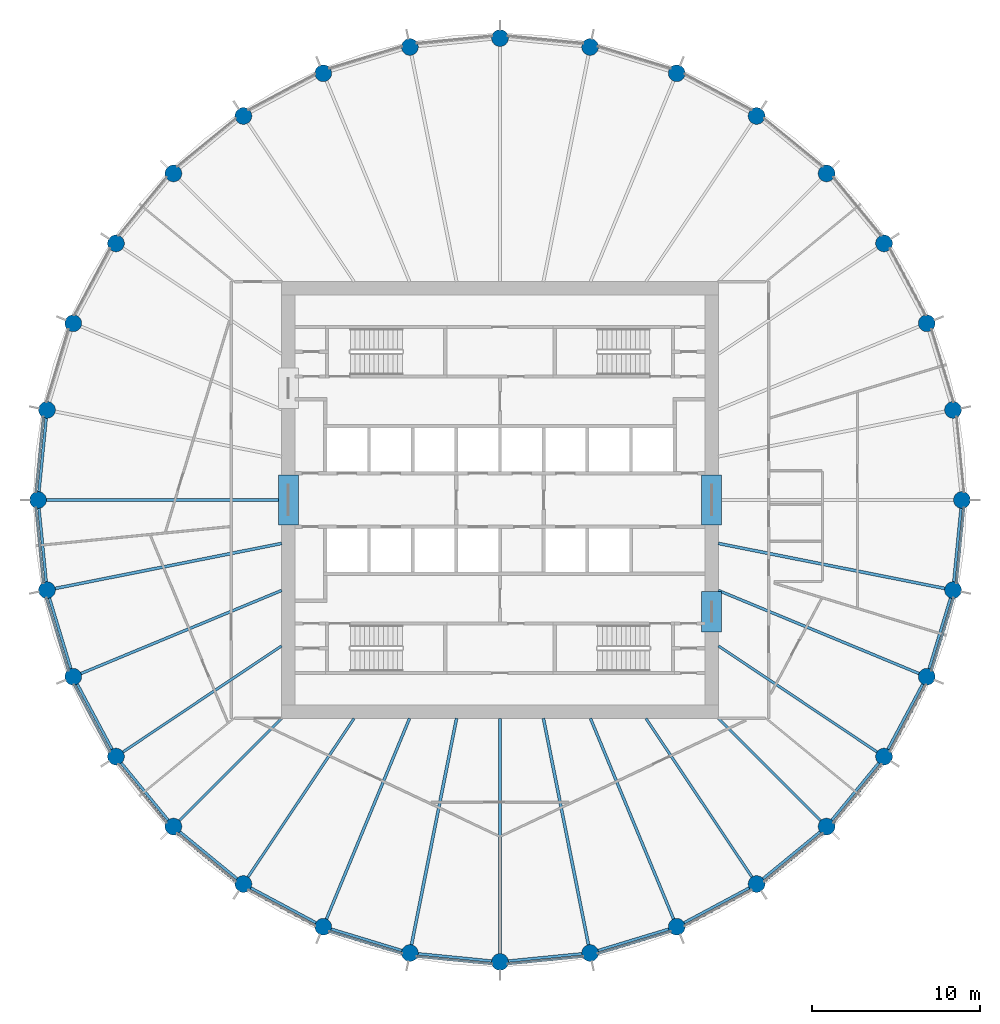
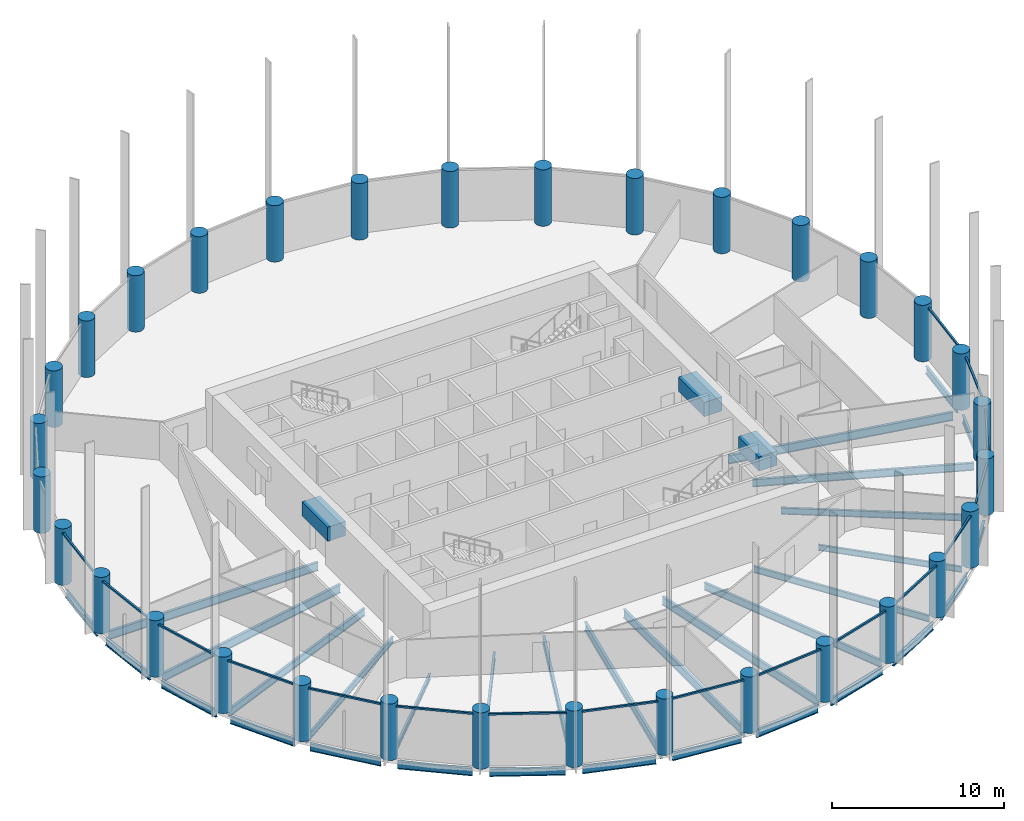
# One storey, part 1 of 8: 36 beams, 32 columns, 17 members, 17 elements without a shape of their own.
"""IFC4 building model written with IfcOpenShell, lengths in metres."""

from ifc_helpers import new_model, si_unit, direction, frame, origin, origin_2d, place, context, subcontext, project, spatial, rectangle, circle, i_section, extrude, material, material_profile, profile_set, type_object, element, aggregate, save


model = new_model("IFC4")

# Units and contexts
model_context = context("Model", 3, precision=1e-05, world=origin(), true_north=direction((0.0, 1.0)))
body_context = subcontext(model_context, "Body", "Model", "MODEL_VIEW")
ifc_project = project(units=[si_unit("LENGTHUNIT", "METRE"), si_unit("AREAUNIT", "SQUARE_METRE"), si_unit("VOLUMEUNIT", "CUBIC_METRE"), si_unit("PLANEANGLEUNIT", "RADIAN"), si_unit("MASSUNIT", "GRAM", prefix="KILO")], contexts=[model_context])

# Site, building, storey
site_placement = place(None, origin())
site = spatial("IfcSite", under=ifc_project, at=site_placement, CompositionType="ELEMENT")
building_placement = place(site_placement, origin())
building = spatial("IfcBuilding", under=site, at=building_placement, Name="Corvane Civic Tower", CompositionType="ELEMENT")
storey_placement = place(building_placement, frame((0.0, 0.0, 249.5)))
storey = spatial("IfcBuildingStorey", under=building, at=storey_placement, Name="L59", CompositionType="ELEMENT", Elevation=249.5)

# Columns
ifc_material_1 = material(Name="Concrete C60/75", Category="concrete")
ifc_material_profile_1 = material_profile(ifc_material_1, circle(Radius=0.5, at=origin_2d()), Name="COLUMN 1000")
ifc_profile_set_1 = profile_set([ifc_material_profile_1], Name="Concrete C60/75")
column_type = type_object("IfcColumnType", Name="RC COLUMN COLUMN 1000", PredefinedType="COLUMN", material=ifc_profile_set_1)
for number, where, z_axis, x_axis, name in (
    (1, (0.0, 27.5, 0.0), (0.0, 0.0, 1.0), (1.0, 0.0, 0.0), "COL-L59-D01"),
    (2, (5.364990234375, 26.9716796875, 0.0), (0.0, 0.0, 1.0), (1.0, 0.0, 0.0), "COL-L59-D02"),
    (3, (10.523681640625, 25.40673828125, 0.0), (0.0, 0.0, 1.0), (1.0, 0.0, 0.0), "COL-L59-D03"),
    (4, (15.278076171875, 22.865478515625, 0.0), (0.0, 0.0, 1.0), (1.0, 0.0, 0.0), "COL-L59-D04"),
    (5, (19.445556640625, 19.445556640625, 0.0), (0.0, 0.0, 1.0), (1.0, 0.0, 0.0), "COL-L59-D05"),
    (6, (22.865478515625, 15.278076171875, 0.0), (0.0, 0.0, 1.0), (1.0, 0.0, 0.0), "COL-L59-D06"),
    (7, (25.40673828125, 10.523681640625, 0.0), (0.0, 0.0, 1.0), (1.0, 0.0, 0.0), "COL-L59-D07"),
    (8, (26.9716796875, 5.364990234375, 0.0), (0.0, 0.0, 1.0), (1.0, 0.0, 0.0), "COL-L59-D08"),
    (9, (27.5, 0.0, 0.0), (0.0, 0.0, 1.0), (1.0, 0.0, 0.0), "COL-L59-D09"),
    (10, (26.9716796875, -5.364990234375, 0.0), (0.0, 0.0, 1.0), (1.0, 0.0, 0.0), "COL-L59-D10"),
    (11, (25.40673828125, -10.523681640625, 0.0), (0.0, 0.0, 1.0), (1.0, 0.0, 0.0), "COL-L59-D11"),
    (12, (22.865478515625, -15.278076171875, 0.0), (0.0, 0.0, 1.0), (1.0, 0.0, 0.0), "COL-L59-D12"),
    (13, (19.445556640625, -19.445556640625, 0.0), (0.0, 0.0, 1.0), (1.0, 0.0, 0.0), "COL-L59-D13"),
    (14, (15.278076171875, -22.865478515625, 0.0), (0.0, 0.0, 1.0), (1.0, 0.0, 0.0), "COL-L59-D14"),
    (15, (10.523681640625, -25.40673828125, 0.0), (0.0, 0.0, 1.0), (1.0, 0.0, 0.0), "COL-L59-D15"),
    (16, (5.364990234375, -26.9716796875, 0.0), (0.0, 0.0, 1.0), (1.0, 0.0, 0.0), "COL-L59-D16"),
    (17, (0.0, -27.5, 0.0), (0.0, 0.0, 1.0), (1.0, 0.0, 0.0), "COL-L59-D17"),
    (18, (-5.364990234375, -26.9716796875, 0.0), (0.0, 0.0, 1.0), (1.0, 0.0, 0.0), "COL-L59-D18"),
    (19, (-10.523681640625, -25.40673828125, 0.0), (0.0, 0.0, 1.0), (1.0, 0.0, 0.0), "COL-L59-D19"),
    (20, (-15.278076171875, -22.865478515625, 0.0), (0.0, 0.0, 1.0), (1.0, 0.0, 0.0), "COL-L59-D20"),
    (21, (-19.445556640625, -19.445556640625, 0.0), (0.0, 0.0, 1.0), (1.0, 0.0, 0.0), "COL-L59-D21"),
    (22, (-22.865478515625, -15.278076171875, 0.0), (0.0, 0.0, 1.0), (1.0, 0.0, 0.0), "COL-L59-D22"),
    (23, (-25.40673828125, -10.523681640625, 0.0), (0.0, 0.0, 1.0), (1.0, 0.0, 0.0), "COL-L59-D23"),
    (24, (-26.9716796875, -5.364990234375, 0.0), (0.0, 0.0, 1.0), (1.0, 0.0, 0.0), "COL-L59-D24"),
    (25, (-27.5, 0.0, 0.0), (0.0, 0.0, 1.0), (1.0, 0.0, 0.0), "COL-L59-D25"),
    (26, (-26.9716796875, 5.364990234375, 0.0), (0.0, 0.0, 1.0), (1.0, 0.0, 0.0), "COL-L59-D26"),
    (27, (-25.40673828125, 10.523681640625, 0.0), (0.0, 0.0, 1.0), (1.0, 0.0, 0.0), "COL-L59-D27"),
    (28, (-22.865478515625, 15.278076171875, 0.0), (0.0, 0.0, 1.0), (1.0, 0.0, 0.0), "COL-L59-D28"),
    (29, (-19.445556640625, 19.445556640625, 0.0), (0.0, 0.0, 1.0), (1.0, 0.0, 0.0), "COL-L59-D29"),
    (30, (-15.278076171875, 22.865478515625, 0.0), (0.0, 0.0, 1.0), (1.0, 0.0, 0.0), "COL-L59-D30"),
    (31, (-10.523681640625, 25.40673828125, 0.0), (0.0, 0.0, 1.0), (1.0, 0.0, 0.0), "COL-L59-D31"),
    (32, (-5.364990234375, 26.9716796875, 0.0), (0.0, 0.0, 1.0), (1.0, 0.0, 0.0), "COL-L59-D32"),
):
    element("IfcColumn", number, at=place(storey_placement, frame(where, z_axis=z_axis, x_axis=x_axis)), inside=storey, type_object=column_type, Name=name, PredefinedType="COLUMN", context=body_context, shape_type="SweptSolid", body=[
        extrude(circle(Radius=0.5, at=origin_2d()), origin(), (0.0, 0.0, 1.0), 4.0),
    ])

# Beams
ifc_material_2 = material(Name="Concrete C50/60", Category="concrete")
ifc_material_profile_2 = material_profile(ifc_material_2, rectangle(XDim=1.199951171875, YDim=1.0, at=origin_2d()), Name="COUPLING BEAM 1200X1000")
ifc_profile_set_2 = profile_set([ifc_material_profile_2], Name="Concrete C50/60")
beam_type_1 = type_object("IfcBeamType", Name="COUPLING BEAM COUPLING BEAM 1200X1000", PredefinedType="BEAM", material=ifc_profile_set_2)
for number, where, z_axis, x_axis, name in (
    (33, (-12.60009765625, -1.5, 2.60009765625), (0.0, 1.0, 0.0), (-1.0, 0.0, 0.0), "BM-L59-cpl-CW-LW"),
    (34, (12.60009765625, -1.5, 2.60009765625), (0.0, 1.0, 0.0), (-1.0, 0.0, 0.0), "BM-L59-cpl-CW-LE"),
):
    element("IfcBeam", number, at=place(storey_placement, frame(where, z_axis=z_axis, x_axis=x_axis)), inside=storey, type_object=beam_type_1, Name=name, PredefinedType="BEAM", context=body_context, shape_type="SweptSolid", body=[
        extrude(rectangle(XDim=1.199951171875, YDim=1.0, at=origin_2d()), origin(), (0.0, 0.0, 1.0), 3.0),
    ])
beam_1_placement = place(storey_placement, frame((12.60009765625, -7.85009765625, 2.60009765625), z_axis=(0.0, 1.0, 0.0), x_axis=(-1.0, 0.0, 0.0)))
element("IfcBeam", 35, at=beam_1_placement, inside=storey, type_object=beam_type_1, Name="BM-L59-cpl-CW-ES", PredefinedType="BEAM", context=body_context, shape_type="SweptSolid", body=[
    extrude(rectangle(XDim=1.199951171875, YDim=1.0, at=origin_2d()), origin(), (0.0, 0.0, 1.0), 2.400146484375),
])
ifc_material_3 = material(Name="Steel ASTM A992 Gr 50", Category="steel")
ifc_material_profile_3 = material_profile(ifc_material_3, i_section(OverallWidth=0.165771484375, OverallDepth=0.5283203125, WebThickness=0.009765625, FlangeThickness=0.013671875, at=origin_2d()), Name="W21X50")
ifc_profile_set_3 = profile_set([ifc_material_profile_3], Name="Steel ASTM A992 Gr 50")
beam_type_2 = type_object("IfcBeamType", Name="EDGE BEAM W21X50", PredefinedType="BEAM", material=ifc_profile_set_3)
beam_2_placement = place(storey_placement, frame((27.450927734375, -0.49755859375, -0.564208984375), z_axis=(-0.097967711281, -0.995189593769, 0.0), x_axis=(0.995189593769, -0.097967711281, 0.0)))
element("IfcBeam", 36, at=beam_2_placement, inside=storey, type_object=beam_type_2, Name="BM-L59-E09", PredefinedType="BEAM", context=body_context, shape_type="SweptSolid", body=[
    extrude(i_section(OverallWidth=0.165771484375, OverallDepth=0.5283203125, WebThickness=0.009765625, FlangeThickness=0.013671875, at=origin_2d()), origin(), (0.0, 0.0, 1.0), 4.39111328125),
])
beam_3_placement = place(storey_placement, frame((26.826416015625, -5.843505859375, -0.564208984375), z_axis=(-0.290254307888, -0.956949547653, 0.0), x_axis=(0.956949547653, -0.290254307888, 0.0)))
element("IfcBeam", 37, at=beam_3_placement, inside=storey, type_object=beam_type_2, Name="BM-L59-E10", PredefinedType="BEAM", context=body_context, shape_type="SweptSolid", body=[
    extrude(i_section(OverallWidth=0.165771484375, OverallDepth=0.5283203125, WebThickness=0.009765625, FlangeThickness=0.013671875, at=origin_2d()), origin(), (0.0, 0.0, 1.0), 4.390625),
])
for number, where, z_axis, x_axis, name in (
    (38, (25.171142578125, -10.964599609375, -0.564208984375), (-0.471422006704, -0.881907756852, 0.0), (0.881907756852, -0.471422006704, 0.0), "BM-L59-E11"),
    (39, (22.54833984375, -15.66455078125, -0.564208984375), (-0.634369433447, -0.773030026524, 0.0), (0.773030026524, -0.634369433447, 0.0), "BM-L59-E12"),
    (40, (19.05908203125, -19.7626953125, -0.564208984375), (-0.773030026524, -0.634369433447, 0.0), (0.634369433447, -0.773030026524, 0.0), "BM-L59-E13"),
    (41, (14.837158203125, -23.10107421875, -0.564208984375), (-0.881907756852, -0.471422006704, 0.0), (0.471422006704, -0.881907756852, 0.0), "BM-L59-E14"),
):
    element("IfcBeam", number, at=place(storey_placement, frame(where, z_axis=z_axis, x_axis=x_axis)), inside=storey, type_object=beam_type_2, Name=name, PredefinedType="BEAM", context=body_context, shape_type="SweptSolid", body=[
        extrude(i_section(OverallWidth=0.165771484375, OverallDepth=0.5283203125, WebThickness=0.009765625, FlangeThickness=0.013671875, at=origin_2d()), origin(), (0.0, 0.0, 1.0), 4.39111328125),
    ])
beam_4_placement = place(storey_placement, frame((10.045166015625, -25.552001953125, -0.564208984375), z_axis=(-0.956949547653, -0.290254307888, 0.0), x_axis=(0.290254307888, -0.956949547653, 0.0)))
element("IfcBeam", 42, at=beam_4_placement, inside=storey, type_object=beam_type_2, Name="BM-L59-E15", PredefinedType="BEAM", context=body_context, shape_type="SweptSolid", body=[
    extrude(i_section(OverallWidth=0.165771484375, OverallDepth=0.5283203125, WebThickness=0.009765625, FlangeThickness=0.013671875, at=origin_2d()), origin(), (0.0, 0.0, 1.0), 4.390625),
])
for number, where, z_axis, x_axis, name in (
    (43, (4.867431640625, -27.020751953125, -0.564208984375), (-0.995189593769, -0.097967711281, 0.0), (0.097967711281, -0.995189593769, 0.0), "BM-L59-E16"),
    (44, (-0.49755859375, -27.450927734375, -0.564208984375), (-0.995189593769, 0.097967711281, 0.0), (-0.097967711281, -0.995189593769, 0.0), "BM-L59-E17"),
):
    element("IfcBeam", number, at=place(storey_placement, frame(where, z_axis=z_axis, x_axis=x_axis)), inside=storey, type_object=beam_type_2, Name=name, PredefinedType="BEAM", context=body_context, shape_type="SweptSolid", body=[
        extrude(i_section(OverallWidth=0.165771484375, OverallDepth=0.5283203125, WebThickness=0.009765625, FlangeThickness=0.013671875, at=origin_2d()), origin(), (0.0, 0.0, 1.0), 4.39111328125),
    ])
beam_5_placement = place(storey_placement, frame((-5.843505859375, -26.826416015625, -0.564208984375), z_axis=(-0.956949547653, 0.290254307888, 0.0), x_axis=(-0.290254307888, -0.956949547653, 0.0)))
element("IfcBeam", 45, at=beam_5_placement, inside=storey, type_object=beam_type_2, Name="BM-L59-E18", PredefinedType="BEAM", context=body_context, shape_type="SweptSolid", body=[
    extrude(i_section(OverallWidth=0.165771484375, OverallDepth=0.5283203125, WebThickness=0.009765625, FlangeThickness=0.013671875, at=origin_2d()), origin(), (0.0, 0.0, 1.0), 4.390625),
])
for number, where, z_axis, x_axis, name in (
    (46, (-10.964599609375, -25.171142578125, -0.564208984375), (-0.881907756852, 0.471422006704, 0.0), (-0.471422006704, -0.881907756852, 0.0), "BM-L59-E19"),
    (47, (-15.66455078125, -22.54833984375, -0.564208984375), (-0.773030026524, 0.634369433447, 0.0), (-0.634369433447, -0.773030026524, 0.0), "BM-L59-E20"),
    (48, (-19.7626953125, -19.05908203125, -0.564208984375), (-0.634369433447, 0.773030026524, 0.0), (-0.773030026524, -0.634369433447, 0.0), "BM-L59-E21"),
    (49, (-23.10107421875, -14.837158203125, -0.564208984375), (-0.471422006704, 0.881907756852, 0.0), (-0.881907756852, -0.471422006704, 0.0), "BM-L59-E22"),
):
    element("IfcBeam", number, at=place(storey_placement, frame(where, z_axis=z_axis, x_axis=x_axis)), inside=storey, type_object=beam_type_2, Name=name, PredefinedType="BEAM", context=body_context, shape_type="SweptSolid", body=[
        extrude(i_section(OverallWidth=0.165771484375, OverallDepth=0.5283203125, WebThickness=0.009765625, FlangeThickness=0.013671875, at=origin_2d()), origin(), (0.0, 0.0, 1.0), 4.39111328125),
    ])
beam_6_placement = place(storey_placement, frame((-25.552001953125, -10.045166015625, -0.564208984375), z_axis=(-0.290254307888, 0.956949547653, 0.0), x_axis=(-0.956949547653, -0.290254307888, 0.0)))
element("IfcBeam", 50, at=beam_6_placement, inside=storey, type_object=beam_type_2, Name="BM-L59-E23", PredefinedType="BEAM", context=body_context, shape_type="SweptSolid", body=[
    extrude(i_section(OverallWidth=0.165771484375, OverallDepth=0.5283203125, WebThickness=0.009765625, FlangeThickness=0.013671875, at=origin_2d()), origin(), (0.0, 0.0, 1.0), 4.390625),
])
for number, where, z_axis, x_axis, name in (
    (51, (-27.020751953125, -4.867431640625, -0.564208984375), (-0.097967711281, 0.995189593769, 0.0), (-0.995189593769, -0.097967711281, 0.0), "BM-L59-E24"),
    (52, (-27.450927734375, 0.49755859375, -0.564208984375), (0.097967711281, 0.995189593769, 0.0), (-0.995189593769, 0.097967711281, 0.0), "BM-L59-E25"),
):
    element("IfcBeam", number, at=place(storey_placement, frame(where, z_axis=z_axis, x_axis=x_axis)), inside=storey, type_object=beam_type_2, Name=name, PredefinedType="BEAM", context=body_context, shape_type="SweptSolid", body=[
        extrude(i_section(OverallWidth=0.165771484375, OverallDepth=0.5283203125, WebThickness=0.009765625, FlangeThickness=0.013671875, at=origin_2d()), origin(), (0.0, 0.0, 1.0), 4.39111328125),
    ])
ifc_material_4 = material(Name="Steel ASTM A992 Gr 50", Category="steel")
ifc_material_profile_4 = material_profile(ifc_material_4, i_section(OverallWidth=0.140380859375, OverallDepth=0.40380859375, WebThickness=0.007080078125, FlangeThickness=0.01123046875, at=origin_2d()), Name="W16X31")
ifc_profile_set_4 = profile_set([ifc_material_profile_4], Name="Steel ASTM A992 Gr 50")
beam_type_3 = type_object("IfcBeamType", Name="FLOOR GIRDER W16X31", PredefinedType="BEAM", material=ifc_profile_set_4)
for number, where, z_axis, x_axis, name in (
    (53, (13.0, -13.0, -0.501953125), (0.707106781187, -0.707106781187, 0.0), (0.707106781187, 0.707106781187, 0.0), "BM-L59-G13"),
    (54, (-13.0, -13.0, -0.501953125), (-0.707106781187, -0.707106781187, 0.0), (0.707106781187, -0.707106781187, 0.0), "BM-L59-G21"),
):
    element("IfcBeam", number, at=place(storey_placement, frame(where, z_axis=z_axis, x_axis=x_axis)), inside=storey, type_object=beam_type_3, Name=name, PredefinedType="BEAM", context=body_context, shape_type="SweptSolid", body=[
        extrude(i_section(OverallWidth=0.140380859375, OverallDepth=0.40380859375, WebThickness=0.007080078125, FlangeThickness=0.01123046875, at=origin_2d()), origin(), (0.0, 0.0, 1.0), 8.614990234375),
    ])
ifc_material_5 = material(Name="Steel ASTM A992 Gr 50", Category="steel")
ifc_material_profile_5 = material_profile(ifc_material_5, i_section(OverallWidth=0.15283203125, OverallDepth=0.45458984375, WebThickness=0.008056640625, FlangeThickness=0.013427734375, at=origin_2d()), Name="W18X40")
ifc_profile_set_5 = profile_set([ifc_material_profile_5], Name="Steel ASTM A992 Gr 50")
beam_type_4 = type_object("IfcBeamType", Name="FLOOR GIRDER W18X40", PredefinedType="BEAM", material=ifc_profile_set_5)
for number, where, z_axis, x_axis, name in (
    (55, (13.0, -8.686279296875, -0.52734375), (0.831464872557, -0.555577326485, 0.0), (0.555577326485, 0.831464872557, 0.0), "BM-L59-G12"),
    (56, (8.686279296875, -13.0, -0.52734375), (0.555577326485, -0.831464872557, 0.0), (0.831464872557, 0.555577326485, 0.0), "BM-L59-G14"),
    (57, (-8.686279296875, -13.0, -0.52734375), (-0.555577326485, -0.831464872557, 0.0), (0.831464872557, -0.555577326485, 0.0), "BM-L59-G20"),
    (58, (-13.0, -8.686279296875, -0.52734375), (-0.831464872557, -0.555577326485, 0.0), (0.555577326485, -0.831464872557, 0.0), "BM-L59-G22"),
):
    element("IfcBeam", number, at=place(storey_placement, frame(where, z_axis=z_axis, x_axis=x_axis)), inside=storey, type_object=beam_type_4, Name=name, PredefinedType="BEAM", context=body_context, shape_type="SweptSolid", body=[
        extrude(i_section(OverallWidth=0.15283203125, OverallDepth=0.45458984375, WebThickness=0.008056640625, FlangeThickness=0.013427734375, at=origin_2d()), origin(), (0.0, 0.0, 1.0), 11.365234375),
    ])
ifc_material_6 = material(Name="Steel ASTM A992 Gr 50", Category="steel")
ifc_material_profile_6 = material_profile(ifc_material_6, i_section(OverallWidth=0.165771484375, OverallDepth=0.5283203125, WebThickness=0.009765625, FlangeThickness=0.013671875, at=origin_2d()), Name="W21X50")
ifc_profile_set_6 = profile_set([ifc_material_profile_6], Name="Steel ASTM A992 Gr 50")
beam_type_5 = type_object("IfcBeamType", Name="FLOOR GIRDER W21X50", PredefinedType="BEAM", material=ifc_profile_set_6)
for number, where, z_axis, x_axis, name in (
    (59, (13.0, -5.384765625, -0.564208984375), (0.923878282404, -0.382686450378, 0.0), (0.382686450378, 0.923878282404, 0.0), "BM-L59-G11"),
    (60, (5.384765625, -13.0, -0.564208984375), (0.382686450378, -0.923878282404, 0.0), (0.923878282404, 0.382686450378, 0.0), "BM-L59-G15"),
    (61, (-5.384765625, -13.0, -0.564208984375), (-0.382686450378, -0.923878282404, 0.0), (0.923878282404, -0.382686450378, 0.0), "BM-L59-G19"),
    (62, (-13.0, -5.384765625, -0.564208984375), (-0.923878282404, -0.382686450378, 0.0), (0.382686450378, -0.923878282404, 0.0), "BM-L59-G23"),
):
    element("IfcBeam", number, at=place(storey_placement, frame(where, z_axis=z_axis, x_axis=x_axis)), inside=storey, type_object=beam_type_5, Name=name, PredefinedType="BEAM", context=body_context, shape_type="SweptSolid", body=[
        extrude(i_section(OverallWidth=0.165771484375, OverallDepth=0.5283203125, WebThickness=0.009765625, FlangeThickness=0.013671875, at=origin_2d()), origin(), (0.0, 0.0, 1.0), 12.928955078125),
    ])
ifc_material_7 = material(Name="Steel ASTM A992 Gr 50", Category="steel")
ifc_material_profile_7 = material_profile(ifc_material_7, i_section(OverallWidth=0.177978515625, OverallDepth=0.599365234375, WebThickness=0.010009765625, FlangeThickness=0.012939453125, at=origin_2d()), Name="W24X55")
ifc_profile_set_7 = profile_set([ifc_material_profile_7], Name="Steel ASTM A992 Gr 50")
beam_type_6 = type_object("IfcBeamType", Name="FLOOR GIRDER W24X55", PredefinedType="BEAM", material=ifc_profile_set_7)
for number, where, z_axis, x_axis, name in (
    (63, (13.0, -2.5859375, -0.599609375), (0.980787802109, -0.195077644118, 0.0), (0.195077644118, 0.980787802109, 0.0), "BM-L59-G10"),
    (64, (2.5859375, -13.0, -0.599609375), (0.195077644118, -0.980787802109, 0.0), (0.980787802109, 0.195077644118, 0.0), "BM-L59-G16"),
):
    element("IfcBeam", number, at=place(storey_placement, frame(where, z_axis=z_axis, x_axis=x_axis)), inside=storey, type_object=beam_type_6, Name=name, PredefinedType="BEAM", context=body_context, shape_type="SweptSolid", body=[
        extrude(i_section(OverallWidth=0.177978515625, OverallDepth=0.599365234375, WebThickness=0.010009765625, FlangeThickness=0.012939453125, at=origin_2d()), origin(), (0.0, 0.0, 1.0), 13.745361328125),
    ])
beam_7_placement = place(storey_placement, frame((0.0, -13.0, -0.599609375), z_axis=(0.0, -1.0, 0.0), x_axis=(1.0, 0.0, 0.0)))
element("IfcBeam", 65, at=beam_7_placement, inside=storey, type_object=beam_type_6, Name="BM-L59-G17", PredefinedType="BEAM", context=body_context, shape_type="SweptSolid", body=[
    extrude(i_section(OverallWidth=0.177978515625, OverallDepth=0.599365234375, WebThickness=0.010009765625, FlangeThickness=0.012939453125, at=origin_2d()), origin(), (0.0, 0.0, 1.0), 14.0),
])
for number, where, z_axis, x_axis, name in (
    (66, (-2.5859375, -13.0, -0.599609375), (-0.195077644118, -0.980787802109, 0.0), (0.980787802109, -0.195077644118, 0.0), "BM-L59-G18"),
    (67, (-13.0, -2.5859375, -0.599609375), (-0.980787802109, -0.195077644118, 0.0), (0.195077644118, -0.980787802109, 0.0), "BM-L59-G24"),
):
    element("IfcBeam", number, at=place(storey_placement, frame(where, z_axis=z_axis, x_axis=x_axis)), inside=storey, type_object=beam_type_6, Name=name, PredefinedType="BEAM", context=body_context, shape_type="SweptSolid", body=[
        extrude(i_section(OverallWidth=0.177978515625, OverallDepth=0.599365234375, WebThickness=0.010009765625, FlangeThickness=0.012939453125, at=origin_2d()), origin(), (0.0, 0.0, 1.0), 13.745361328125),
    ])
beam_8_placement = place(storey_placement, frame((-13.0, 0.0, -0.599609375), z_axis=(-1.0, 0.0, 0.0), x_axis=(0.0, -1.0, 0.0)))
element("IfcBeam", 68, at=beam_8_placement, inside=storey, type_object=beam_type_6, Name="BM-L59-G25", PredefinedType="BEAM", context=body_context, shape_type="SweptSolid", body=[
    extrude(i_section(OverallWidth=0.177978515625, OverallDepth=0.599365234375, WebThickness=0.010009765625, FlangeThickness=0.012939453125, at=origin_2d()), origin(), (0.0, 0.0, 1.0), 14.0),
])

# Curtain wall, member
ifc_material_8 = material(Name="Anodised aluminium bronze", Category="aluminium")
curtain_wall_type = type_object("IfcCurtainWallType", Name="TOWER CW-T2 STICK CURTAIN WALL", PredefinedType="NOTDEFINED", material=ifc_material_8)
curtain_wall_1_placement = place(storey_placement, origin())
curtain_wall_1 = element("IfcCurtainWall", 69, at=curtain_wall_1_placement, inside=storey, type_object=curtain_wall_type, Name="Curtain wall CW-T2 L59 bay 09", PredefinedType="NOTDEFINED")
ifc_material_9 = material(Name="Anodised aluminium bronze", Category="aluminium")
ifc_material_profile_8 = material_profile(ifc_material_9, rectangle(XDim=0.1201171875, YDim=0.1201171875, at=origin_2d()), Name="TOWER CW-T2 TRANSOM 120x120")
ifc_profile_set_8 = profile_set([ifc_material_profile_8], Name="Anodised aluminium bronze")
member_type = type_object("IfcMemberType", Name="TOWER CW-T2 TRANSOM 120x120", PredefinedType="USERDEFINED", material=ifc_profile_set_8)
member_1_placement = place(storey_placement, frame((27.635498046875, -0.452392578125, 3.68994140625), z_axis=(-0.098042715701, -0.995182207386, 0.0), x_axis=(0.995182207386, -0.098042715701, 0.0)))
member_1 = element("IfcMember", 70, at=member_1_placement, type_object=member_type, Name="Transom CW-T2 L59 09.1", ObjectType="TRANSOM", PredefinedType="USERDEFINED", context=body_context, shape_type="SweptSolid", body=[
    extrude(rectangle(XDim=0.1201171875, YDim=0.1201171875, at=origin_2d()), origin(), (0.0, 0.0, 1.0), 4.51708984375),
])
aggregate(curtain_wall_1, [member_1])

curtain_wall_2_placement = place(storey_placement, origin())
curtain_wall_2 = element("IfcCurtainWall", 71, at=curtain_wall_2_placement, inside=storey, type_object=curtain_wall_type, Name="Curtain wall CW-T2 L59 bay 10", PredefinedType="NOTDEFINED")
member_2_placement = place(storey_placement, frame((27.016357421875, -5.8349609375, 3.68994140625), z_axis=(-0.2902818869, -0.956941182173, 0.0), x_axis=(0.956941182173, -0.2902818869, 0.0)))
member_2 = element("IfcMember", 72, at=member_2_placement, type_object=member_type, Name="Transom CW-T2 L59 10.1", ObjectType="TRANSOM", PredefinedType="USERDEFINED", context=body_context, shape_type="SweptSolid", body=[
    extrude(rectangle(XDim=0.1201171875, YDim=0.1201171875, at=origin_2d()), origin(), (0.0, 0.0, 1.0), 4.517333984375),
])
aggregate(curtain_wall_2, [member_2])

curtain_wall_3_placement = place(storey_placement, origin())
curtain_wall_3 = element("IfcCurtainWall", 73, at=curtain_wall_3_placement, inside=storey, type_object=curtain_wall_type, Name="Curtain wall CW-T2 L59 bay 11", PredefinedType="NOTDEFINED")
member_3_placement = place(storey_placement, frame((25.35888671875, -10.993408203125, 3.68994140625), z_axis=(-0.471390317183, -0.881924695689, 0.0), x_axis=(0.881924695689, -0.471390317183, 0.0)))
member_3 = element("IfcMember", 74, at=member_3_placement, type_object=member_type, Name="Transom CW-T2 L59 11.1", ObjectType="TRANSOM", PredefinedType="USERDEFINED", context=body_context, shape_type="SweptSolid", body=[
    extrude(rectangle(XDim=0.1201171875, YDim=0.1201171875, at=origin_2d()), origin(), (0.0, 0.0, 1.0), 4.517333984375),
])
aggregate(curtain_wall_3, [member_3])

curtain_wall_4_placement = place(storey_placement, origin())
curtain_wall_4 = element("IfcCurtainWall", 75, at=curtain_wall_4_placement, inside=storey, type_object=curtain_wall_type, Name="Curtain wall CW-T2 L59 bay 12", PredefinedType="NOTDEFINED")
member_4_placement = place(storey_placement, frame((22.726806640625, -15.7294921875, 3.68994140625), z_axis=(-0.634387834569, -0.773014925698, 0.0), x_axis=(0.773014925698, -0.634387834569, 0.0)))
member_4 = element("IfcMember", 76, at=member_4_placement, type_object=member_type, Name="Transom CW-T2 L59 12.1", ObjectType="TRANSOM", PredefinedType="USERDEFINED", context=body_context, shape_type="SweptSolid", body=[
    extrude(rectangle(XDim=0.1201171875, YDim=0.1201171875, at=origin_2d()), origin(), (0.0, 0.0, 1.0), 4.517333984375),
])
aggregate(curtain_wall_4, [member_4])

curtain_wall_5_placement = place(storey_placement, origin())
curtain_wall_5 = element("IfcCurtainWall", 77, at=curtain_wall_5_placement, inside=storey, type_object=curtain_wall_type, Name="Curtain wall CW-T2 L59 bay 13", PredefinedType="NOTDEFINED")
member_5_placement = place(storey_placement, frame((19.221435546875, -19.861083984375, 3.68994140625), z_axis=(-0.773014925698, -0.634387834569, 0.0), x_axis=(0.634387834569, -0.773014925698, 0.0)))
member_5 = element("IfcMember", 78, at=member_5_placement, type_object=member_type, Name="Transom CW-T2 L59 13.1", ObjectType="TRANSOM", PredefinedType="USERDEFINED", context=body_context, shape_type="SweptSolid", body=[
    extrude(rectangle(XDim=0.1201171875, YDim=0.1201171875, at=origin_2d()), origin(), (0.0, 0.0, 1.0), 4.517333984375),
])
aggregate(curtain_wall_5, [member_5])

curtain_wall_6_placement = place(storey_placement, origin())
curtain_wall_6 = element("IfcCurtainWall", 79, at=curtain_wall_6_placement, inside=storey, type_object=curtain_wall_type, Name="Curtain wall CW-T2 L59 bay 14", PredefinedType="NOTDEFINED")
member_6_placement = place(storey_placement, frame((14.977294921875, -23.2294921875, 3.68994140625), z_axis=(-0.881924695689, -0.471390317183, 0.0), x_axis=(0.471390317183, -0.881924695689, 0.0)))
member_6 = element("IfcMember", 80, at=member_6_placement, type_object=member_type, Name="Transom CW-T2 L59 14.1", ObjectType="TRANSOM", PredefinedType="USERDEFINED", context=body_context, shape_type="SweptSolid", body=[
    extrude(rectangle(XDim=0.1201171875, YDim=0.1201171875, at=origin_2d()), origin(), (0.0, 0.0, 1.0), 4.517333984375),
])
aggregate(curtain_wall_6, [member_6])

curtain_wall_7_placement = place(storey_placement, origin())
curtain_wall_7 = element("IfcCurtainWall", 81, at=curtain_wall_7_placement, inside=storey, type_object=curtain_wall_type, Name="Curtain wall CW-T2 L59 bay 15", PredefinedType="NOTDEFINED")
member_7_placement = place(storey_placement, frame((10.15771484375, -25.705078125, 3.68994140625), z_axis=(-0.956941182173, -0.2902818869, 0.0), x_axis=(0.2902818869, -0.956941182173, 0.0)))
member_7 = element("IfcMember", 82, at=member_7_placement, type_object=member_type, Name="Transom CW-T2 L59 15.1", ObjectType="TRANSOM", PredefinedType="USERDEFINED", context=body_context, shape_type="SweptSolid", body=[
    extrude(rectangle(XDim=0.1201171875, YDim=0.1201171875, at=origin_2d()), origin(), (0.0, 0.0, 1.0), 4.517333984375),
])
aggregate(curtain_wall_7, [member_7])

curtain_wall_8_placement = place(storey_placement, origin())
curtain_wall_8 = element("IfcCurtainWall", 83, at=curtain_wall_8_placement, inside=storey, type_object=curtain_wall_type, Name="Curtain wall CW-T2 L59 bay 16", PredefinedType="NOTDEFINED")
member_8_placement = place(storey_placement, frame((4.94775390625, -27.192626953125, 3.68994140625), z_axis=(-0.995182207386, -0.098042715701, 0.0), x_axis=(0.098042715701, -0.995182207386, 0.0)))
member_8 = element("IfcMember", 84, at=member_8_placement, type_object=member_type, Name="Transom CW-T2 L59 16.1", ObjectType="TRANSOM", PredefinedType="USERDEFINED", context=body_context, shape_type="SweptSolid", body=[
    extrude(rectangle(XDim=0.1201171875, YDim=0.1201171875, at=origin_2d()), origin(), (0.0, 0.0, 1.0), 4.51708984375),
])
aggregate(curtain_wall_8, [member_8])

curtain_wall_9_placement = place(storey_placement, origin())
curtain_wall_9 = element("IfcCurtainWall", 85, at=curtain_wall_9_placement, inside=storey, type_object=curtain_wall_type, Name="Curtain wall CW-T2 L59 bay 17", PredefinedType="NOTDEFINED")
member_9_placement = place(storey_placement, frame((-0.452392578125, -27.635498046875, 3.68994140625), z_axis=(-0.995182207386, 0.098042715701, 0.0), x_axis=(-0.098042715701, -0.995182207386, 0.0)))
member_9 = element("IfcMember", 86, at=member_9_placement, type_object=member_type, Name="Transom CW-T2 L59 17.1", ObjectType="TRANSOM", PredefinedType="USERDEFINED", context=body_context, shape_type="SweptSolid", body=[
    extrude(rectangle(XDim=0.1201171875, YDim=0.1201171875, at=origin_2d()), origin(), (0.0, 0.0, 1.0), 4.51708984375),
])
aggregate(curtain_wall_9, [member_9])

curtain_wall_10_placement = place(storey_placement, origin())
curtain_wall_10 = element("IfcCurtainWall", 87, at=curtain_wall_10_placement, inside=storey, type_object=curtain_wall_type, Name="Curtain wall CW-T2 L59 bay 18", PredefinedType="NOTDEFINED")
member_10_placement = place(storey_placement, frame((-5.8349609375, -27.016357421875, 3.68994140625), z_axis=(-0.956941182173, 0.2902818869, 0.0), x_axis=(-0.2902818869, -0.956941182173, 0.0)))
member_10 = element("IfcMember", 88, at=member_10_placement, type_object=member_type, Name="Transom CW-T2 L59 18.1", ObjectType="TRANSOM", PredefinedType="USERDEFINED", context=body_context, shape_type="SweptSolid", body=[
    extrude(rectangle(XDim=0.1201171875, YDim=0.1201171875, at=origin_2d()), origin(), (0.0, 0.0, 1.0), 4.517333984375),
])
aggregate(curtain_wall_10, [member_10])

curtain_wall_11_placement = place(storey_placement, origin())
curtain_wall_11 = element("IfcCurtainWall", 89, at=curtain_wall_11_placement, inside=storey, type_object=curtain_wall_type, Name="Curtain wall CW-T2 L59 bay 19", PredefinedType="NOTDEFINED")
member_11_placement = place(storey_placement, frame((-10.993408203125, -25.35888671875, 3.68994140625), z_axis=(-0.881924695689, 0.471390317183, 0.0), x_axis=(-0.471390317183, -0.881924695689, 0.0)))
member_11 = element("IfcMember", 90, at=member_11_placement, type_object=member_type, Name="Transom CW-T2 L59 19.1", ObjectType="TRANSOM", PredefinedType="USERDEFINED", context=body_context, shape_type="SweptSolid", body=[
    extrude(rectangle(XDim=0.1201171875, YDim=0.1201171875, at=origin_2d()), origin(), (0.0, 0.0, 1.0), 4.517333984375),
])
aggregate(curtain_wall_11, [member_11])

curtain_wall_12_placement = place(storey_placement, origin())
curtain_wall_12 = element("IfcCurtainWall", 91, at=curtain_wall_12_placement, inside=storey, type_object=curtain_wall_type, Name="Curtain wall CW-T2 L59 bay 20", PredefinedType="NOTDEFINED")
member_12_placement = place(storey_placement, frame((-15.7294921875, -22.726806640625, 3.68994140625), z_axis=(-0.773014925698, 0.634387834569, 0.0), x_axis=(-0.634387834569, -0.773014925698, 0.0)))
member_12 = element("IfcMember", 92, at=member_12_placement, type_object=member_type, Name="Transom CW-T2 L59 20.1", ObjectType="TRANSOM", PredefinedType="USERDEFINED", context=body_context, shape_type="SweptSolid", body=[
    extrude(rectangle(XDim=0.1201171875, YDim=0.1201171875, at=origin_2d()), origin(), (0.0, 0.0, 1.0), 4.517333984375),
])
aggregate(curtain_wall_12, [member_12])

curtain_wall_13_placement = place(storey_placement, origin())
curtain_wall_13 = element("IfcCurtainWall", 93, at=curtain_wall_13_placement, inside=storey, type_object=curtain_wall_type, Name="Curtain wall CW-T2 L59 bay 21", PredefinedType="NOTDEFINED")
member_13_placement = place(storey_placement, frame((-19.861083984375, -19.221435546875, 3.68994140625), z_axis=(-0.634387834569, 0.773014925698, 0.0), x_axis=(-0.773014925698, -0.634387834569, 0.0)))
member_13 = element("IfcMember", 94, at=member_13_placement, type_object=member_type, Name="Transom CW-T2 L59 21.1", ObjectType="TRANSOM", PredefinedType="USERDEFINED", context=body_context, shape_type="SweptSolid", body=[
    extrude(rectangle(XDim=0.1201171875, YDim=0.1201171875, at=origin_2d()), origin(), (0.0, 0.0, 1.0), 4.517333984375),
])
aggregate(curtain_wall_13, [member_13])

curtain_wall_14_placement = place(storey_placement, origin())
curtain_wall_14 = element("IfcCurtainWall", 95, at=curtain_wall_14_placement, inside=storey, type_object=curtain_wall_type, Name="Curtain wall CW-T2 L59 bay 22", PredefinedType="NOTDEFINED")
member_14_placement = place(storey_placement, frame((-23.2294921875, -14.977294921875, 3.68994140625), z_axis=(-0.471390317183, 0.881924695689, 0.0), x_axis=(-0.881924695689, -0.471390317183, 0.0)))
member_14 = element("IfcMember", 96, at=member_14_placement, type_object=member_type, Name="Transom CW-T2 L59 22.1", ObjectType="TRANSOM", PredefinedType="USERDEFINED", context=body_context, shape_type="SweptSolid", body=[
    extrude(rectangle(XDim=0.1201171875, YDim=0.1201171875, at=origin_2d()), origin(), (0.0, 0.0, 1.0), 4.517333984375),
])
aggregate(curtain_wall_14, [member_14])

curtain_wall_15_placement = place(storey_placement, origin())
curtain_wall_15 = element("IfcCurtainWall", 97, at=curtain_wall_15_placement, inside=storey, type_object=curtain_wall_type, Name="Curtain wall CW-T2 L59 bay 23", PredefinedType="NOTDEFINED")
member_15_placement = place(storey_placement, frame((-25.705078125, -10.15771484375, 3.68994140625), z_axis=(-0.2902818869, 0.956941182173, 0.0), x_axis=(-0.956941182173, -0.2902818869, 0.0)))
member_15 = element("IfcMember", 98, at=member_15_placement, type_object=member_type, Name="Transom CW-T2 L59 23.1", ObjectType="TRANSOM", PredefinedType="USERDEFINED", context=body_context, shape_type="SweptSolid", body=[
    extrude(rectangle(XDim=0.1201171875, YDim=0.1201171875, at=origin_2d()), origin(), (0.0, 0.0, 1.0), 4.517333984375),
])
aggregate(curtain_wall_15, [member_15])

curtain_wall_16_placement = place(storey_placement, origin())
curtain_wall_16 = element("IfcCurtainWall", 99, at=curtain_wall_16_placement, inside=storey, type_object=curtain_wall_type, Name="Curtain wall CW-T2 L59 bay 24", PredefinedType="NOTDEFINED")
member_16_placement = place(storey_placement, frame((-27.192626953125, -4.94775390625, 3.68994140625), z_axis=(-0.098042715701, 0.995182207386, 0.0), x_axis=(-0.995182207386, -0.098042715701, 0.0)))
member_16 = element("IfcMember", 100, at=member_16_placement, type_object=member_type, Name="Transom CW-T2 L59 24.1", ObjectType="TRANSOM", PredefinedType="USERDEFINED", context=body_context, shape_type="SweptSolid", body=[
    extrude(rectangle(XDim=0.1201171875, YDim=0.1201171875, at=origin_2d()), origin(), (0.0, 0.0, 1.0), 4.51708984375),
])
aggregate(curtain_wall_16, [member_16])

curtain_wall_17_placement = place(storey_placement, origin())
curtain_wall_17 = element("IfcCurtainWall", 101, at=curtain_wall_17_placement, inside=storey, type_object=curtain_wall_type, Name="Curtain wall CW-T2 L59 bay 25", PredefinedType="NOTDEFINED")
member_17_placement = place(storey_placement, frame((-27.635498046875, 0.452392578125, 3.68994140625), z_axis=(0.098042715701, 0.995182207386, 0.0), x_axis=(-0.995182207386, 0.098042715701, 0.0)))
member_17 = element("IfcMember", 102, at=member_17_placement, type_object=member_type, Name="Transom CW-T2 L59 25.1", ObjectType="TRANSOM", PredefinedType="USERDEFINED", context=body_context, shape_type="SweptSolid", body=[
    extrude(rectangle(XDim=0.1201171875, YDim=0.1201171875, at=origin_2d()), origin(), (0.0, 0.0, 1.0), 4.51708984375),
])
aggregate(curtain_wall_17, [member_17])

save(model, "model.ifc")
